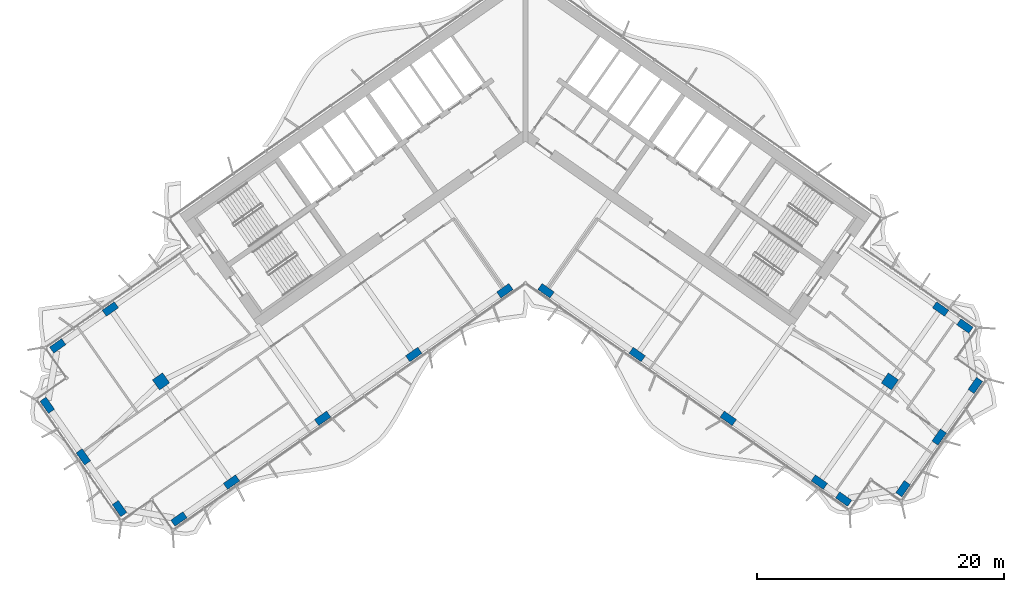
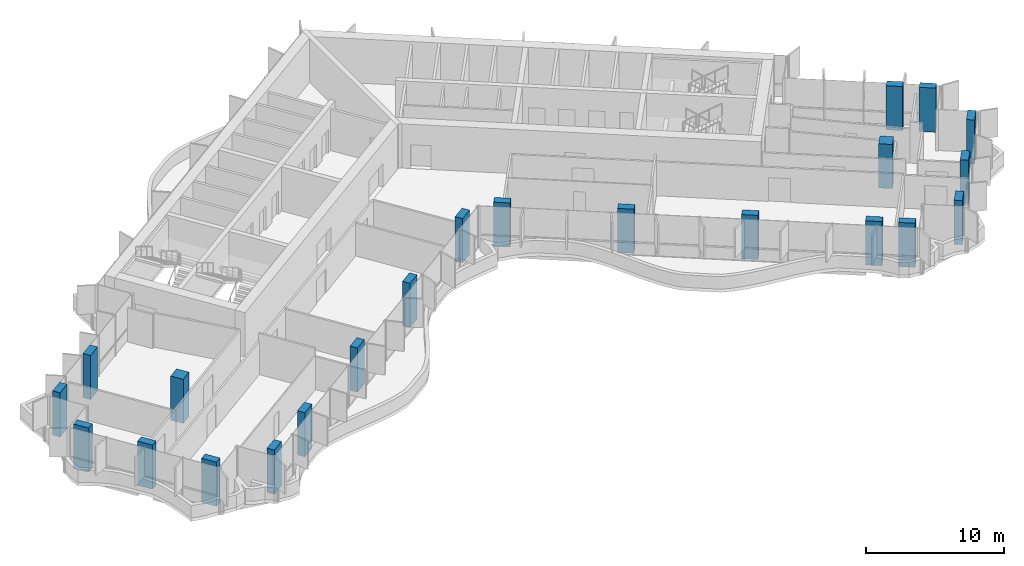
# One storey, part 1 of 21: 22 columns.
"""IFC4 building model written with IfcOpenShell, lengths in metres."""

from ifc_helpers import new_model, si_unit, direction, frame, origin, origin_2d, place, context, subcontext, project, spatial, rectangle, extrude, material, material_profile, profile_set, type_object, element, save


model = new_model("IFC4")

# Units and contexts
model_context = context("Model", 3, precision=1e-05, world=origin(), true_north=direction((0.0, 1.0)))
body_context = subcontext(model_context, "Body", "Model", "MODEL_VIEW")
ifc_project = project(units=[si_unit("LENGTHUNIT", "METRE"), si_unit("AREAUNIT", "SQUARE_METRE"), si_unit("VOLUMEUNIT", "CUBIC_METRE"), si_unit("PLANEANGLEUNIT", "RADIAN"), si_unit("MASSUNIT", "GRAM", prefix="KILO")], contexts=[model_context])

# Site, building, storey
site_placement = place(None, origin())
site = spatial("IfcSite", under=ifc_project, at=site_placement, CompositionType="ELEMENT")
building_placement = place(site_placement, origin())
building = spatial("IfcBuilding", under=site, at=building_placement, Name="Tel Ilan Convention Tower", CompositionType="ELEMENT")
storey_placement = place(building_placement, frame((0.0, 0.0, 155.39990234375)))
storey = spatial("IfcBuildingStorey", under=building, at=storey_placement, Name="L35", CompositionType="ELEMENT", Elevation=155.39990234375)

# Columns
ifc_material_1 = material(Name="Concrete C50/60", Category="concrete")
ifc_material_profile_1 = material_profile(ifc_material_1, rectangle(XDim=1.0, YDim=1.0, at=origin_2d()), Name="RC 1000x1000")
ifc_profile_set_1 = profile_set([ifc_material_profile_1], Name="Concrete C50/60")
column_type_1 = type_object("IfcColumnType", Name="Column RC 1000x1000 C50/60", PredefinedType="COLUMN", material=ifc_profile_set_1)
for number, where, z_axis, x_axis, name in (
    (1, (-29.489501953125, -20.648681640625, 0.0), (0.0, 0.0, 1.0), (-0.819152044289, -0.573576436351, 0.0), "L35 column W-M4"),
    (2, (29.489501953125, -20.648681640625, 0.0), (0.0, 0.0, 1.0), (0.819152044289, -0.573576436351, 0.0), "L35 column E-M4"),
):
    element("IfcColumn", number, at=place(storey_placement, frame(where, z_axis=z_axis, x_axis=x_axis)), inside=storey, type_object=column_type_1, Name=name, PredefinedType="COLUMN", context=body_context, shape_type="SweptSolid", body=[
        extrude(rectangle(XDim=1.0, YDim=1.0, at=origin_2d()), origin(), (0.0, 0.0, 1.0), 3.900146484375),
    ])
ifc_material_2 = material(Name="Concrete C50/60", Category="concrete")
ifc_material_profile_2 = material_profile(ifc_material_2, rectangle(XDim=1.199951171875, YDim=0.60009765625, at=origin_2d()), Name="RC 600x1200")
ifc_profile_set_2 = profile_set([ifc_material_profile_2], Name="Concrete C50/60")
column_type_2 = type_object("IfcColumnType", Name="Column RC 600x1200 C50/60", PredefinedType="COLUMN", material=ifc_profile_set_2)
for number, where, z_axis, x_axis, name in (
    (3, (-1.665283203125, -13.312744140625, 0.0), (0.0, 0.0, 1.0), (-0.819152044289, -0.573576436351, 0.0), "L35 column W-F1"),
    (4, (-9.03759765625, -18.474853515625, 0.0), (0.0, 0.0, 1.0), (-0.819152044289, -0.573576436351, 0.0), "L35 column W-F2"),
    (5, (-16.409912109375, -23.63720703125, 0.0), (0.0, 0.0, 1.0), (-0.819152044289, -0.573576436351, 0.0), "L35 column W-F3"),
    (6, (-23.782470703125, -28.79931640625, 0.0), (0.0, 0.0, 1.0), (-0.819152044289, -0.573576436351, 0.0), "L35 column W-F4"),
    (7, (-28.0419921875, -31.781982421875, 0.0), (0.0, 0.0, 1.0), (-0.819152044289, -0.573576436351, 0.0), "L35 column W-FC"),
    (8, (-33.590576171875, -14.791748046875, 0.0), (0.0, 0.0, 1.0), (-0.819152044289, -0.573576436351, 0.0), "L35 column W-B4"),
    (9, (-37.85009765625, -17.7744140625, 0.0), (0.0, 0.0, 1.0), (-0.819152044289, -0.573576436351, 0.0), "L35 column W-BC"),
    (10, (-32.846923828125, -30.934814453125, 0.0), (0.0, 0.0, 1.0), (-0.573576436351, 0.819152044289, 0.0), "L35 column W-E1"),
    (11, (-35.772216796875, -26.757080078125, 0.0), (0.0, 0.0, 1.0), (-0.573576436351, 0.819152044289, 0.0), "L35 column W-E2"),
    (12, (-38.697509765625, -22.579345703125, 0.0), (0.0, 0.0, 1.0), (-0.573576436351, 0.819152044289, 0.0), "L35 column W-E3"),
    (13, (1.665283203125, -13.312744140625, 0.0), (0.0, 0.0, 1.0), (0.819152044289, -0.573576436351, 0.0), "L35 column E-F1"),
    (14, (9.03759765625, -18.474853515625, 0.0), (0.0, 0.0, 1.0), (0.819152044289, -0.573576436351, 0.0), "L35 column E-F2"),
    (15, (16.409912109375, -23.63720703125, 0.0), (0.0, 0.0, 1.0), (0.819152044289, -0.573576436351, 0.0), "L35 column E-F3"),
    (16, (23.782470703125, -28.79931640625, 0.0), (0.0, 0.0, 1.0), (0.819152044289, -0.573576436351, 0.0), "L35 column E-F4"),
    (17, (25.748291015625, -30.17578125, 0.0), (0.0, 0.0, 1.0), (0.819152044289, -0.573576436351, 0.0), "L35 column E-FC"),
    (18, (33.590576171875, -14.791748046875, 0.0), (0.0, 0.0, 1.0), (0.819152044289, -0.573576436351, 0.0), "L35 column E-B4"),
    (19, (35.556396484375, -16.16845703125, 0.0), (0.0, 0.0, 1.0), (0.819152044289, -0.573576436351, 0.0), "L35 column E-BC"),
    (20, (30.55322265625, -29.32861328125, 0.0), (0.0, 0.0, 1.0), (0.573576436351, 0.819152044289, 0.0), "L35 column E-E1"),
    (21, (33.478515625, -25.15087890625, 0.0), (0.0, 0.0, 1.0), (0.573576436351, 0.819152044289, 0.0), "L35 column E-E2"),
    (22, (36.40380859375, -20.973388671875, 0.0), (0.0, 0.0, 1.0), (0.573576436351, 0.819152044289, 0.0), "L35 column E-E3"),
):
    element("IfcColumn", number, at=place(storey_placement, frame(where, z_axis=z_axis, x_axis=x_axis)), inside=storey, type_object=column_type_2, Name=name, PredefinedType="COLUMN", context=body_context, shape_type="SweptSolid", body=[
        extrude(rectangle(XDim=1.199951171875, YDim=0.60009765625, at=origin_2d()), origin(), (0.0, 0.0, 1.0), 3.900146484375),
    ])

save(model, "model.ifc")
